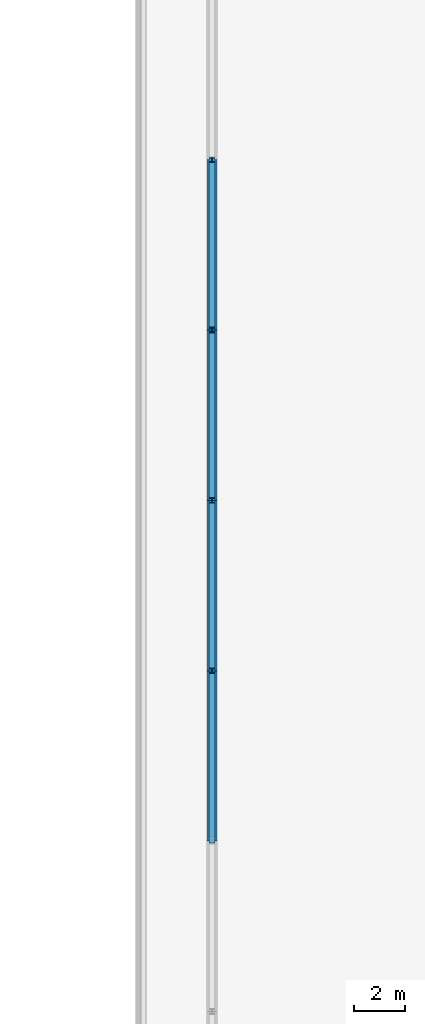
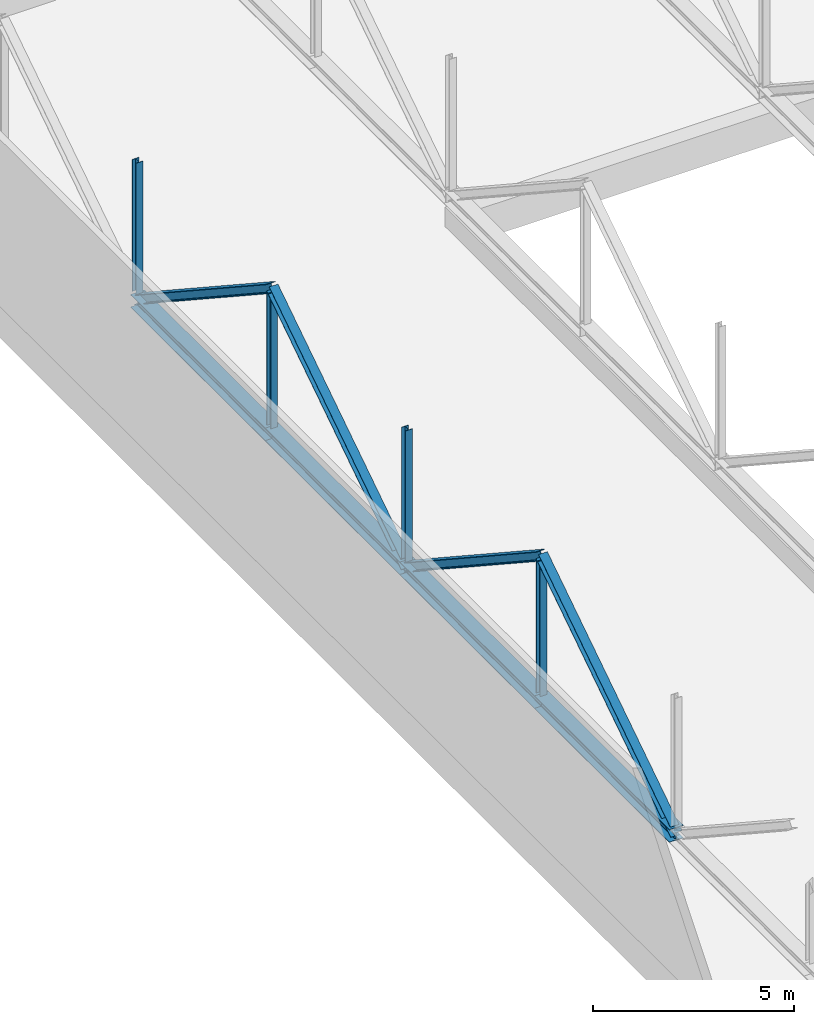
# One storey, part 9 of 49: 12 members.
"""IFC4 building model written with IfcOpenShell, lengths in metres."""

from ifc_helpers import new_model, si_unit, direction, frame, origin, origin_2d, place, context, subcontext, project, spatial, i_section, extrude, material, material_profile, profile_set, type_object, element, save


model = new_model("IFC4")

# Units and contexts
model_context = context("Model", 3, precision=1e-05, world=origin(), true_north=direction((0.0, 1.0)))
body_context = subcontext(model_context, "Body", "Model", "MODEL_VIEW")
ifc_project = project(units=[si_unit("LENGTHUNIT", "METRE"), si_unit("AREAUNIT", "SQUARE_METRE"), si_unit("VOLUMEUNIT", "CUBIC_METRE"), si_unit("PLANEANGLEUNIT", "RADIAN"), si_unit("MASSUNIT", "GRAM", prefix="KILO")], contexts=[model_context])

# Site, building, storey
site_placement = place(None, origin())
site = spatial("IfcSite", under=ifc_project, at=site_placement, CompositionType="ELEMENT")
building_placement = place(site_placement, origin())
building = spatial("IfcBuilding", under=site, at=building_placement, Name="Hunhe Ridgeline Campus", CompositionType="ELEMENT")
storey_placement = place(building_placement, frame((0.0, 0.0, 21.60009765625)))
storey = spatial("IfcBuildingStorey", under=building, at=storey_placement, Name="L04", CompositionType="ELEMENT", Elevation=21.60009765625)

# Members
ifc_material = material(Name="Steel Q355", Category="steel")
ifc_material_profile_1 = material_profile(ifc_material, i_section(OverallWidth=0.39990234375, OverallDepth=0.39990234375, WebThickness=0.012939453125, FlangeThickness=0.02099609375, FilletRadius=0.02197265625, at=origin_2d()))
ifc_profile_set_1 = profile_set([ifc_material_profile_1], Name="Steel Q355")
member_type_1 = type_object("IfcMemberType", Name="Roof truss chord HW400x400x13x21 Q355", PredefinedType="CHORD", material=ifc_profile_set_1)
for number, where, z_axis, x_axis, name in (
    (1, (153.0, 36.10009765625, 0.789794921875), (0.0, 1.0, 0.0), (-1.0, 0.0, 0.0), "Roof truss 1 bottom chord 3"),
    (2, (153.0, 42.800048828125, 0.789794921875), (0.0, 1.0, 0.0), (-1.0, 0.0, 0.0), "Roof truss 1 bottom chord 4"),
    (3, (153.0, 49.5, 0.789794921875), (0.0, 1.0, 0.0), (-1.0, 0.0, 0.0), "Roof truss 1 bottom chord 5"),
    (4, (153.0, 56.199951171875, 0.789794921875), (0.0, 1.0, 0.0), (-1.0, 0.0, 0.0), "Roof truss 1 bottom chord 6"),
):
    element("IfcMember", number, at=place(storey_placement, frame(where, z_axis=z_axis, x_axis=x_axis)), inside=storey, type_object=member_type_1, Name=name, PredefinedType="CHORD", context=body_context, shape_type="SweptSolid", body=[
        extrude(i_section(OverallWidth=0.39990234375, OverallDepth=0.39990234375, WebThickness=0.012939453125, FlangeThickness=0.02099609375, FilletRadius=0.02197265625, at=origin_2d()), origin(), (0.0, 0.0, 1.0), 6.699951171875),
    ])
ifc_material_profile_2 = material_profile(ifc_material, i_section(OverallWidth=0.25, OverallDepth=0.25, WebThickness=0.009033203125, FlangeThickness=0.013916015625, FilletRadius=0.012939453125, at=origin_2d()))
ifc_profile_set_2 = profile_set([ifc_material_profile_2], Name="Steel Q355")
member_type_2 = type_object("IfcMemberType", Name="Roof truss diagonal HW250x250x9x14 Q355", PredefinedType="BRACE", material=ifc_profile_set_2)
for number, where, z_axis, x_axis, name in (
    (5, (153.0, 36.10009765625, 0.789794921875), (0.0, 0.835858813721, 0.548944481277), (-1.0, 0.0, 0.0), "Roof truss 1 diagonal 3"),
    (6, (153.0, 42.800048828125, 5.18994140625), (0.0, 0.835858813721, -0.548944481277), (-1.0, 0.0, 0.0), "Roof truss 1 diagonal 4"),
    (7, (153.0, 49.5, 0.789794921875), (0.0, 0.835858813721, 0.548944481277), (-1.0, 0.0, 0.0), "Roof truss 1 diagonal 5"),
    (8, (153.0, 56.199951171875, 5.18994140625), (0.0, 0.835858813721, -0.548944481277), (-1.0, 0.0, 0.0), "Roof truss 1 diagonal 6"),
):
    element("IfcMember", number, at=place(storey_placement, frame(where, z_axis=z_axis, x_axis=x_axis)), inside=storey, type_object=member_type_2, Name=name, PredefinedType="BRACE", context=body_context, shape_type="SweptSolid", body=[
        extrude(i_section(OverallWidth=0.25, OverallDepth=0.25, WebThickness=0.009033203125, FlangeThickness=0.013916015625, FilletRadius=0.012939453125, at=origin_2d()), origin(), (0.0, 0.0, 1.0), 8.015625),
    ])
ifc_material_profile_3 = material_profile(ifc_material, i_section(OverallWidth=0.199951171875, OverallDepth=0.199951171875, WebThickness=0.008056640625, FlangeThickness=0.011962890625, FilletRadius=0.012939453125, at=origin_2d()))
ifc_profile_set_3 = profile_set([ifc_material_profile_3], Name="Steel Q355")
member_type_3 = type_object("IfcMemberType", Name="Roof truss post HW200x200x8x12 Q355", PredefinedType="POST", material=ifc_profile_set_3)
for number, where, z_axis, x_axis, name in (
    (9, (153.0, 42.800048828125, 0.989990234375), (0.0, 0.0, 1.0), (1.0, 0.0, 0.0), "Roof truss 1 post 3"),
    (10, (153.0, 49.5, 0.989990234375), (0.0, 0.0, 1.0), (1.0, 0.0, 0.0), "Roof truss 1 post 4"),
    (11, (153.0, 56.199951171875, 0.989990234375), (0.0, 0.0, 1.0), (1.0, 0.0, 0.0), "Roof truss 1 post 5"),
    (12, (153.0, 62.89990234375, 0.989990234375), (0.0, 0.0, 1.0), (1.0, 0.0, 0.0), "Roof truss 1 post 6"),
):
    element("IfcMember", number, at=place(storey_placement, frame(where, z_axis=z_axis, x_axis=x_axis)), inside=storey, type_object=member_type_3, Name=name, PredefinedType="POST", context=body_context, shape_type="SweptSolid", body=[
        extrude(i_section(OverallWidth=0.199951171875, OverallDepth=0.199951171875, WebThickness=0.008056640625, FlangeThickness=0.011962890625, FilletRadius=0.012939453125, at=origin_2d()), origin(), (0.0, 0.0, 1.0), 4.0),
    ])

save(model, "model.ifc")
